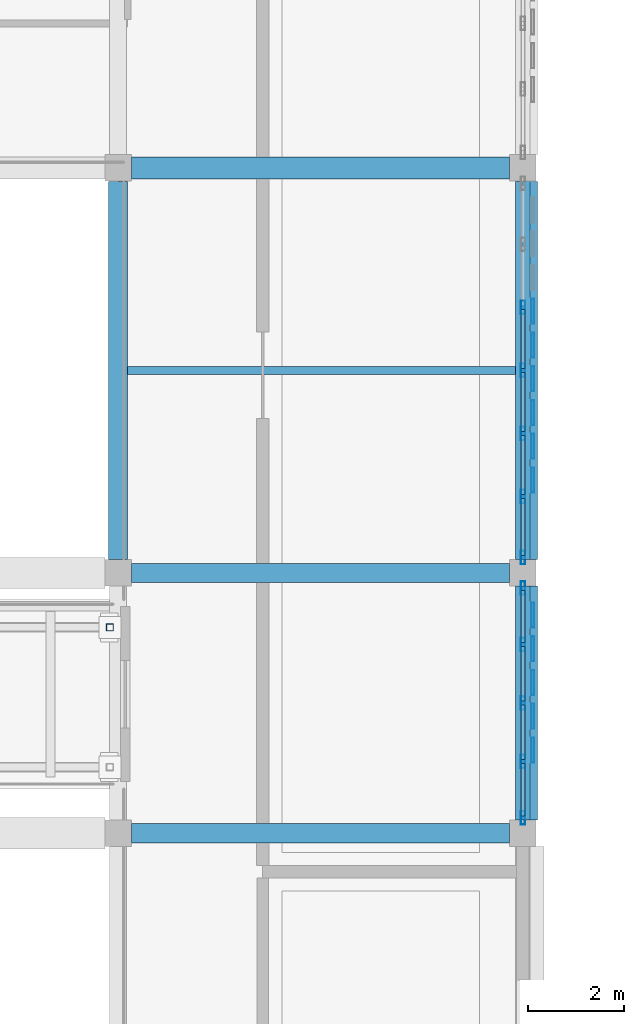
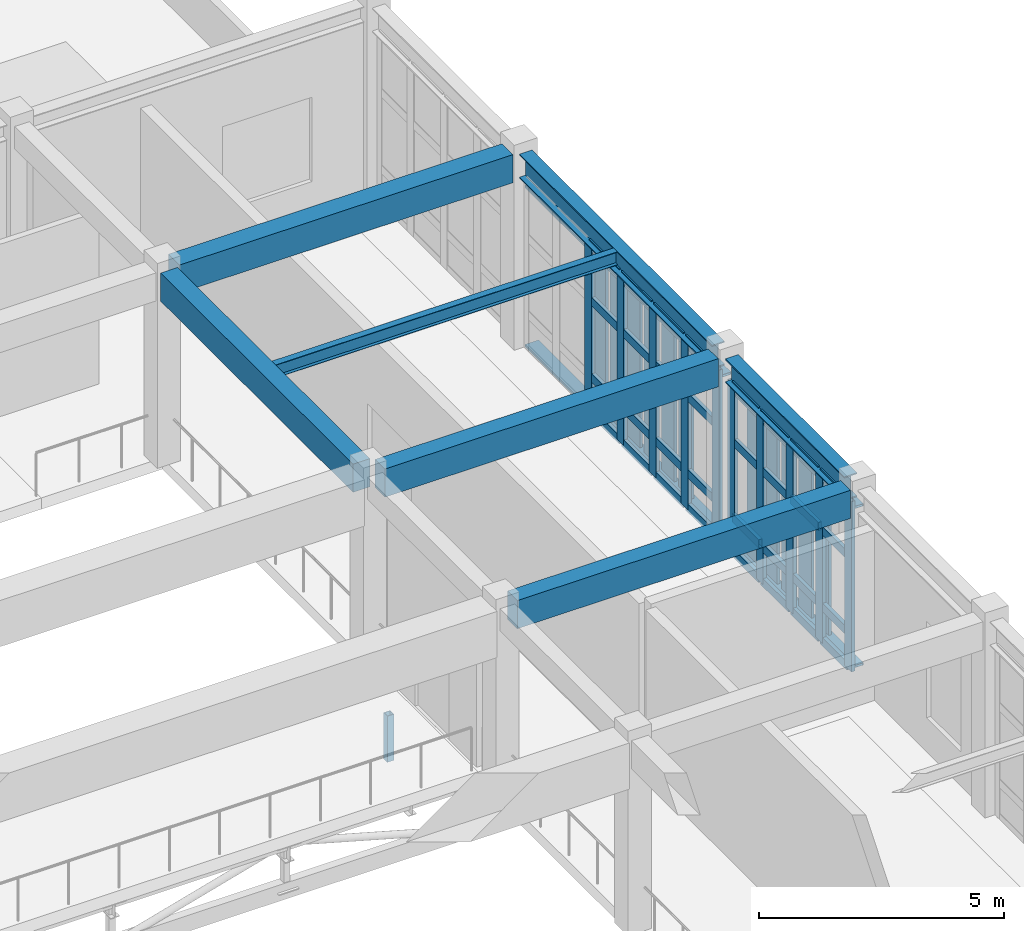
# One storey, part 29 of 77: 58 members, 7 beams, 2 elements without a shape of their own.
"""IFC4 building model written with IfcOpenShell, lengths in metres."""

from ifc_helpers import new_model, si_unit, direction, frame, origin, origin_2d, place, context, subcontext, project, spatial, rectangle, hollow_rectangle, i_section, extrude, material, layer, layer_set, material_profile, profile_set, type_object, element, aggregate, save


model = new_model("IFC4")

# Units and contexts
model_context = context("Model", 3, precision=1e-05, world=origin(), true_north=direction((0.0, 1.0)))
body_context = subcontext(model_context, "Body", "Model", "MODEL_VIEW")
ifc_project = project(units=[si_unit("LENGTHUNIT", "METRE"), si_unit("AREAUNIT", "SQUARE_METRE"), si_unit("VOLUMEUNIT", "CUBIC_METRE"), si_unit("PLANEANGLEUNIT", "RADIAN"), si_unit("MASSUNIT", "GRAM", prefix="KILO")], contexts=[model_context])

# Site, building, storey
site_placement = place(None, origin())
site = spatial("IfcSite", under=ifc_project, at=site_placement, CompositionType="ELEMENT")
building_placement = place(site_placement, origin())
building = spatial("IfcBuilding", under=site, at=building_placement, Name="Krzemoval Escarpment Law Courts", CompositionType="ELEMENT")
storey_placement = place(building_placement, frame((0.0, 0.0, 15.300048828125)))
storey = spatial("IfcBuildingStorey", under=building, at=storey_placement, Name="L03", CompositionType="ELEMENT", Elevation=15.300048828125)

# Beams
ifc_material_1 = material(Name="Concrete C40/50", Category="concrete")
ifc_material_profile_1 = material_profile(ifc_material_1, rectangle(XDim=0.39990234375, YDim=0.699951171875, at=origin_2d()), Name="RCB 400x700")
ifc_profile_set_1 = profile_set([ifc_material_profile_1], Name="Concrete C40/50")
beam_type_1 = type_object("IfcBeamType", Name="BM-RC-400x700", PredefinedType="BEAM", material=ifc_profile_set_1)
for number, where, z_axis, x_axis, name in (
    (1, (33.875, 79.800048828125, 4.489990234375), (1.0, 0.0, 0.0), (0.0, 1.0, 0.0), "Beam FG-L03-2170"),
    (2, (33.875, 85.199951171875, 4.489990234375), (1.0, 0.0, 0.0), (0.0, 1.0, 0.0), "Beam FG-L03-2175"),
):
    element("IfcBeam", number, at=place(storey_placement, frame(where, z_axis=z_axis, x_axis=x_axis)), inside=storey, type_object=beam_type_1, Name=name, PredefinedType="BEAM", context=body_context, shape_type="SweptSolid", body=[
        extrude(rectangle(XDim=0.39990234375, YDim=0.699951171875, at=origin_2d()), origin(), (0.0, 0.0, 1.0), 7.85009765625),
    ])
beam_1_placement = place(storey_placement, frame((33.60009765625, 85.47509765625, 4.489990234375), z_axis=(0.0, 1.0, 0.0), x_axis=(-1.0, 0.0, 0.0)))
element("IfcBeam", 3, at=beam_1_placement, inside=storey, type_object=beam_type_1, Name="Beam FG-L03-2257", PredefinedType="BEAM", context=body_context, shape_type="SweptSolid", body=[
    extrude(rectangle(XDim=0.39990234375, YDim=0.699951171875, at=origin_2d()), origin(), (0.0, 0.0, 1.0), 7.849853515625),
])
ifc_material_2 = material(Name="Concrete C40/50", Category="concrete")
ifc_material_profile_2 = material_profile(ifc_material_2, rectangle(XDim=0.449951171875, YDim=0.699951171875, at=origin_2d()), Name="RCB 450x700")
ifc_profile_set_2 = profile_set([ifc_material_profile_2], Name="Concrete C40/50")
beam_type_2 = type_object("IfcBeamType", Name="BM-RC-450x700", PredefinedType="BEAM", material=ifc_profile_set_2)
beam_2_placement = place(storey_placement, frame((33.875, 93.60009765625, 4.489990234375), z_axis=(1.0, 0.0, 0.0), x_axis=(0.0, 1.0, 0.0)))
element("IfcBeam", 4, at=beam_2_placement, inside=storey, type_object=beam_type_2, Name="Beam FG-L03-2181", PredefinedType="BEAM", context=body_context, shape_type="SweptSolid", body=[
    extrude(rectangle(XDim=0.449951171875, YDim=0.699951171875, at=origin_2d()), origin(), (0.0, 0.0, 1.0), 7.85009765625),
])

# Curtain wall, members
ifc_material_3 = material(Name="Aluminium 6063-T6", Category="aluminium")
ifc_layer = layer(ifc_material_3, 0.280029296875)
ifc_layer_set = layer_set([ifc_layer], Name="Aluminium 6063-T6")
curtain_wall_type = type_object("IfcCurtainWallType", Name="CW-HALL-5100", PredefinedType="USERDEFINED", material=ifc_layer_set)
curtain_wall_1_placement = place(storey_placement, origin())
curtain_wall_1 = element("IfcCurtainWall", 5, at=curtain_wall_1_placement, inside=storey, type_object=curtain_wall_type, Name="Unitised Curtain Wall FCW-L03-106", ObjectType="UNITISED_CURTAIN_WALL", PredefinedType="USERDEFINED")
ifc_material_4 = material(Name="Aluminium 6063-T6", Category="aluminium")
ifc_material_profile_3 = material_profile(ifc_material_4, hollow_rectangle(XDim=0.0849609375, YDim=0.280029296875, WallThickness=0.005615234375, at=origin_2d()), Name="ALU M85x280")
ifc_profile_set_3 = profile_set([ifc_material_profile_3], Name="Aluminium 6063-T6")
member_type_1 = type_object("IfcMemberType", Name="CWM-85x280", PredefinedType="MULLION", material=ifc_profile_set_3)
member_1_placement = place(storey_placement, frame((42.0, 90.708251953125, 0.0), z_axis=(0.0, 0.0, 1.0), x_axis=(1.0, 0.0, 0.0)))
member_1 = element("IfcMember", 6, at=member_1_placement, type_object=member_type_1, Name="FCW-L03-106 mullion 3", PredefinedType="MULLION", context=body_context, shape_type="SweptSolid", body=[
    extrude(hollow_rectangle(XDim=0.0849609375, YDim=0.280029296875, WallThickness=0.005615234375, at=origin_2d()), origin(), (0.0, 0.0, 1.0), 4.239990234375),
])
member_2_placement = place(storey_placement, frame((42.0, 89.39990234375, 0.0), z_axis=(0.0, 0.0, 1.0), x_axis=(1.0, 0.0, 0.0)))
member_2 = element("IfcMember", 7, at=member_2_placement, type_object=member_type_1, Name="FCW-L03-106 mullion 4", PredefinedType="MULLION", context=body_context, shape_type="SweptSolid", body=[
    extrude(hollow_rectangle(XDim=0.0849609375, YDim=0.280029296875, WallThickness=0.005615234375, at=origin_2d()), origin(), (0.0, 0.0, 1.0), 4.239990234375),
])
member_3_placement = place(storey_placement, frame((42.0, 88.091552734375, 0.0), z_axis=(0.0, 0.0, 1.0), x_axis=(1.0, 0.0, 0.0)))
member_3 = element("IfcMember", 8, at=member_3_placement, type_object=member_type_1, Name="FCW-L03-106 mullion 5", PredefinedType="MULLION", context=body_context, shape_type="SweptSolid", body=[
    extrude(hollow_rectangle(XDim=0.0849609375, YDim=0.280029296875, WallThickness=0.005615234375, at=origin_2d()), origin(), (0.0, 0.0, 1.0), 4.239990234375),
])
member_4_placement = place(storey_placement, frame((42.0, 86.783447265625, 0.0), z_axis=(0.0, 0.0, 1.0), x_axis=(1.0, 0.0, 0.0)))
member_4 = element("IfcMember", 9, at=member_4_placement, type_object=member_type_1, Name="FCW-L03-106 mullion 6", PredefinedType="MULLION", context=body_context, shape_type="SweptSolid", body=[
    extrude(hollow_rectangle(XDim=0.0849609375, YDim=0.280029296875, WallThickness=0.005615234375, at=origin_2d()), origin(), (0.0, 0.0, 1.0), 4.239990234375),
])
member_5_placement = place(storey_placement, frame((42.0, 85.517578125, 0.0), z_axis=(0.0, 0.0, 1.0), x_axis=(1.0, 0.0, 0.0)))
member_5 = element("IfcMember", 10, at=member_5_placement, type_object=member_type_1, Name="FCW-L03-106 mullion 7", PredefinedType="MULLION", context=body_context, shape_type="SweptSolid", body=[
    extrude(hollow_rectangle(XDim=0.0849609375, YDim=0.280029296875, WallThickness=0.005615234375, at=origin_2d()), origin(), (0.0, 0.0, 1.0), 4.239990234375),
])

curtain_wall_2_placement = place(storey_placement, origin())
curtain_wall_2 = element("IfcCurtainWall", 11, at=curtain_wall_2_placement, inside=storey, type_object=curtain_wall_type, Name="Unitised Curtain Wall FCW-L03-107", ObjectType="UNITISED_CURTAIN_WALL", PredefinedType="USERDEFINED")
member_6_placement = place(storey_placement, frame((42.0, 84.882568359375, 0.0), z_axis=(0.0, 0.0, 1.0), x_axis=(1.0, 0.0, 0.0)))
member_6 = element("IfcMember", 12, at=member_6_placement, type_object=member_type_1, Name="FCW-L03-107 mullion 1", PredefinedType="MULLION", context=body_context, shape_type="SweptSolid", body=[
    extrude(hollow_rectangle(XDim=0.0849609375, YDim=0.280029296875, WallThickness=0.005615234375, at=origin_2d()), origin(), (0.0, 0.0, 1.0), 4.239990234375),
])
member_7_placement = place(storey_placement, frame((42.0, 83.71240234375, 0.0), z_axis=(0.0, 0.0, 1.0), x_axis=(1.0, 0.0, 0.0)))
member_7 = element("IfcMember", 13, at=member_7_placement, type_object=member_type_1, Name="FCW-L03-107 mullion 2", PredefinedType="MULLION", context=body_context, shape_type="SweptSolid", body=[
    extrude(hollow_rectangle(XDim=0.0849609375, YDim=0.280029296875, WallThickness=0.005615234375, at=origin_2d()), origin(), (0.0, 0.0, 1.0), 4.239990234375),
])
member_8_placement = place(storey_placement, frame((42.0, 82.5, 0.0), z_axis=(0.0, 0.0, 1.0), x_axis=(1.0, 0.0, 0.0)))
member_8 = element("IfcMember", 14, at=member_8_placement, type_object=member_type_1, Name="FCW-L03-107 mullion 3", PredefinedType="MULLION", context=body_context, shape_type="SweptSolid", body=[
    extrude(hollow_rectangle(XDim=0.0849609375, YDim=0.280029296875, WallThickness=0.005615234375, at=origin_2d()), origin(), (0.0, 0.0, 1.0), 4.239990234375),
])
member_9_placement = place(storey_placement, frame((42.0, 81.28759765625, 0.0), z_axis=(0.0, 0.0, 1.0), x_axis=(1.0, 0.0, 0.0)))
member_9 = element("IfcMember", 15, at=member_9_placement, type_object=member_type_1, Name="FCW-L03-107 mullion 4", PredefinedType="MULLION", context=body_context, shape_type="SweptSolid", body=[
    extrude(hollow_rectangle(XDim=0.0849609375, YDim=0.280029296875, WallThickness=0.005615234375, at=origin_2d()), origin(), (0.0, 0.0, 1.0), 4.239990234375),
])
member_10_placement = place(storey_placement, frame((42.0, 80.117431640625, 0.0), z_axis=(0.0, 0.0, 1.0), x_axis=(1.0, 0.0, 0.0)))
member_10 = element("IfcMember", 16, at=member_10_placement, type_object=member_type_1, Name="FCW-L03-107 mullion 5", PredefinedType="MULLION", context=body_context, shape_type="SweptSolid", body=[
    extrude(hollow_rectangle(XDim=0.0849609375, YDim=0.280029296875, WallThickness=0.005615234375, at=origin_2d()), origin(), (0.0, 0.0, 1.0), 4.239990234375),
])

# Member
ifc_material_5 = material(Name="Aluminium 6063-T6", Category="aluminium")
ifc_material_profile_4 = material_profile(ifc_material_5, hollow_rectangle(XDim=0.0849609375, YDim=0.2099609375, WallThickness=0.005615234375, at=origin_2d()), Name="ALU T85x210")
ifc_profile_set_4 = profile_set([ifc_material_profile_4], Name="Aluminium 6063-T6")
member_type_2 = type_object("IfcMemberType", Name="CWT-85x210", PredefinedType="USERDEFINED", material=ifc_profile_set_4)
member_11_placement = place(storey_placement, frame((42.0, 90.665771484375, 0.04248046875), z_axis=(0.0, -1.0, 0.0), x_axis=(1.0, 0.0, 0.0)))
member_11 = element("IfcMember", 17, at=member_11_placement, type_object=member_type_2, Name="FCW-L03-106 transom 3.1", ObjectType="TRANSOM", PredefinedType="USERDEFINED", context=body_context, shape_type="SweptSolid", body=[
    extrude(hollow_rectangle(XDim=0.0849609375, YDim=0.2099609375, WallThickness=0.005615234375, at=origin_2d()), origin(), (0.0, 0.0, 1.0), 1.223388671875),
])

member_12_placement = place(storey_placement, frame((42.0, 90.665771484375, 0.89990234375), z_axis=(0.0, -1.0, 0.0), x_axis=(1.0, 0.0, 0.0)))
member_12 = element("IfcMember", 18, at=member_12_placement, type_object=member_type_2, Name="FCW-L03-106 transom 3.2", ObjectType="TRANSOM", PredefinedType="USERDEFINED", context=body_context, shape_type="SweptSolid", body=[
    extrude(hollow_rectangle(XDim=0.0849609375, YDim=0.2099609375, WallThickness=0.005615234375, at=origin_2d()), origin(), (0.0, 0.0, 1.0), 1.223388671875),
])

member_13_placement = place(storey_placement, frame((42.0, 90.665771484375, 2.800048828125), z_axis=(0.0, -1.0, 0.0), x_axis=(1.0, 0.0, 0.0)))
member_13 = element("IfcMember", 19, at=member_13_placement, type_object=member_type_2, Name="FCW-L03-106 transom 3.3", ObjectType="TRANSOM", PredefinedType="USERDEFINED", context=body_context, shape_type="SweptSolid", body=[
    extrude(hollow_rectangle(XDim=0.0849609375, YDim=0.2099609375, WallThickness=0.005615234375, at=origin_2d()), origin(), (0.0, 0.0, 1.0), 1.223388671875),
])

member_14_placement = place(storey_placement, frame((42.0, 90.665771484375, 4.197509765625), z_axis=(0.0, -1.0, 0.0), x_axis=(1.0, 0.0, 0.0)))
member_14 = element("IfcMember", 20, at=member_14_placement, type_object=member_type_2, Name="FCW-L03-106 transom 3.4", ObjectType="TRANSOM", PredefinedType="USERDEFINED", context=body_context, shape_type="SweptSolid", body=[
    extrude(hollow_rectangle(XDim=0.0849609375, YDim=0.2099609375, WallThickness=0.005615234375, at=origin_2d()), origin(), (0.0, 0.0, 1.0), 1.223388671875),
])

member_15_placement = place(storey_placement, frame((42.0, 89.357421875, 0.04248046875), z_axis=(0.0, -1.0, 0.0), x_axis=(1.0, 0.0, 0.0)))
member_15 = element("IfcMember", 21, at=member_15_placement, type_object=member_type_2, Name="FCW-L03-106 transom 4.1", ObjectType="TRANSOM", PredefinedType="USERDEFINED", context=body_context, shape_type="SweptSolid", body=[
    extrude(hollow_rectangle(XDim=0.0849609375, YDim=0.2099609375, WallThickness=0.005615234375, at=origin_2d()), origin(), (0.0, 0.0, 1.0), 1.22314453125),
])

member_16_placement = place(storey_placement, frame((42.0, 89.357421875, 0.89990234375), z_axis=(0.0, -1.0, 0.0), x_axis=(1.0, 0.0, 0.0)))
member_16 = element("IfcMember", 22, at=member_16_placement, type_object=member_type_2, Name="FCW-L03-106 transom 4.2", ObjectType="TRANSOM", PredefinedType="USERDEFINED", context=body_context, shape_type="SweptSolid", body=[
    extrude(hollow_rectangle(XDim=0.0849609375, YDim=0.2099609375, WallThickness=0.005615234375, at=origin_2d()), origin(), (0.0, 0.0, 1.0), 1.22314453125),
])

member_17_placement = place(storey_placement, frame((42.0, 89.357421875, 2.800048828125), z_axis=(0.0, -1.0, 0.0), x_axis=(1.0, 0.0, 0.0)))
member_17 = element("IfcMember", 23, at=member_17_placement, type_object=member_type_2, Name="FCW-L03-106 transom 4.3", ObjectType="TRANSOM", PredefinedType="USERDEFINED", context=body_context, shape_type="SweptSolid", body=[
    extrude(hollow_rectangle(XDim=0.0849609375, YDim=0.2099609375, WallThickness=0.005615234375, at=origin_2d()), origin(), (0.0, 0.0, 1.0), 1.22314453125),
])

member_18_placement = place(storey_placement, frame((42.0, 89.357421875, 4.197509765625), z_axis=(0.0, -1.0, 0.0), x_axis=(1.0, 0.0, 0.0)))
member_18 = element("IfcMember", 24, at=member_18_placement, type_object=member_type_2, Name="FCW-L03-106 transom 4.4", ObjectType="TRANSOM", PredefinedType="USERDEFINED", context=body_context, shape_type="SweptSolid", body=[
    extrude(hollow_rectangle(XDim=0.0849609375, YDim=0.2099609375, WallThickness=0.005615234375, at=origin_2d()), origin(), (0.0, 0.0, 1.0), 1.22314453125),
])

member_19_placement = place(storey_placement, frame((42.0, 88.049072265625, 0.04248046875), z_axis=(0.0, -1.0, 0.0), x_axis=(1.0, 0.0, 0.0)))
member_19 = element("IfcMember", 25, at=member_19_placement, type_object=member_type_2, Name="FCW-L03-106 transom 5.1", ObjectType="TRANSOM", PredefinedType="USERDEFINED", context=body_context, shape_type="SweptSolid", body=[
    extrude(hollow_rectangle(XDim=0.0849609375, YDim=0.2099609375, WallThickness=0.005615234375, at=origin_2d()), origin(), (0.0, 0.0, 1.0), 1.22314453125),
])

member_20_placement = place(storey_placement, frame((42.0, 88.049072265625, 0.89990234375), z_axis=(0.0, -1.0, 0.0), x_axis=(1.0, 0.0, 0.0)))
member_20 = element("IfcMember", 26, at=member_20_placement, type_object=member_type_2, Name="FCW-L03-106 transom 5.2", ObjectType="TRANSOM", PredefinedType="USERDEFINED", context=body_context, shape_type="SweptSolid", body=[
    extrude(hollow_rectangle(XDim=0.0849609375, YDim=0.2099609375, WallThickness=0.005615234375, at=origin_2d()), origin(), (0.0, 0.0, 1.0), 1.22314453125),
])

member_21_placement = place(storey_placement, frame((42.0, 88.049072265625, 2.800048828125), z_axis=(0.0, -1.0, 0.0), x_axis=(1.0, 0.0, 0.0)))
member_21 = element("IfcMember", 27, at=member_21_placement, type_object=member_type_2, Name="FCW-L03-106 transom 5.3", ObjectType="TRANSOM", PredefinedType="USERDEFINED", context=body_context, shape_type="SweptSolid", body=[
    extrude(hollow_rectangle(XDim=0.0849609375, YDim=0.2099609375, WallThickness=0.005615234375, at=origin_2d()), origin(), (0.0, 0.0, 1.0), 1.22314453125),
])

member_22_placement = place(storey_placement, frame((42.0, 88.049072265625, 4.197509765625), z_axis=(0.0, -1.0, 0.0), x_axis=(1.0, 0.0, 0.0)))
member_22 = element("IfcMember", 28, at=member_22_placement, type_object=member_type_2, Name="FCW-L03-106 transom 5.4", ObjectType="TRANSOM", PredefinedType="USERDEFINED", context=body_context, shape_type="SweptSolid", body=[
    extrude(hollow_rectangle(XDim=0.0849609375, YDim=0.2099609375, WallThickness=0.005615234375, at=origin_2d()), origin(), (0.0, 0.0, 1.0), 1.22314453125),
])

member_23_placement = place(storey_placement, frame((42.0, 86.74072265625, 0.04248046875), z_axis=(0.0, -1.0, 0.0), x_axis=(1.0, 0.0, 0.0)))
member_23 = element("IfcMember", 29, at=member_23_placement, type_object=member_type_2, Name="FCW-L03-106 transom 6.1", ObjectType="TRANSOM", PredefinedType="USERDEFINED", context=body_context, shape_type="SweptSolid", body=[
    extrude(hollow_rectangle(XDim=0.0849609375, YDim=0.2099609375, WallThickness=0.005615234375, at=origin_2d()), origin(), (0.0, 0.0, 1.0), 1.1806640625),
])

member_24_placement = place(storey_placement, frame((42.0, 86.74072265625, 0.89990234375), z_axis=(0.0, -1.0, 0.0), x_axis=(1.0, 0.0, 0.0)))
member_24 = element("IfcMember", 30, at=member_24_placement, type_object=member_type_2, Name="FCW-L03-106 transom 6.2", ObjectType="TRANSOM", PredefinedType="USERDEFINED", context=body_context, shape_type="SweptSolid", body=[
    extrude(hollow_rectangle(XDim=0.0849609375, YDim=0.2099609375, WallThickness=0.005615234375, at=origin_2d()), origin(), (0.0, 0.0, 1.0), 1.1806640625),
])

member_25_placement = place(storey_placement, frame((42.0, 86.74072265625, 2.800048828125), z_axis=(0.0, -1.0, 0.0), x_axis=(1.0, 0.0, 0.0)))
member_25 = element("IfcMember", 31, at=member_25_placement, type_object=member_type_2, Name="FCW-L03-106 transom 6.3", ObjectType="TRANSOM", PredefinedType="USERDEFINED", context=body_context, shape_type="SweptSolid", body=[
    extrude(hollow_rectangle(XDim=0.0849609375, YDim=0.2099609375, WallThickness=0.005615234375, at=origin_2d()), origin(), (0.0, 0.0, 1.0), 1.1806640625),
])

member_26_placement = place(storey_placement, frame((42.0, 86.74072265625, 4.197509765625), z_axis=(0.0, -1.0, 0.0), x_axis=(1.0, 0.0, 0.0)))
member_26 = element("IfcMember", 32, at=member_26_placement, type_object=member_type_2, Name="FCW-L03-106 transom 6.4", ObjectType="TRANSOM", PredefinedType="USERDEFINED", context=body_context, shape_type="SweptSolid", body=[
    extrude(hollow_rectangle(XDim=0.0849609375, YDim=0.2099609375, WallThickness=0.005615234375, at=origin_2d()), origin(), (0.0, 0.0, 1.0), 1.1806640625),
])

aggregate(curtain_wall_1, [member_1, member_2, member_3, member_4, member_5, member_11, member_12, member_13, member_14, member_15, member_16, member_17, member_18, member_19, member_20, member_21, member_22, member_23, member_24, member_25, member_26])

member_27_placement = place(storey_placement, frame((42.0, 84.840087890625, 0.04248046875), z_axis=(0.0, -1.0, 0.0), x_axis=(1.0, 0.0, 0.0)))
member_27 = element("IfcMember", 33, at=member_27_placement, type_object=member_type_2, Name="FCW-L03-107 transom 1.1", ObjectType="TRANSOM", PredefinedType="USERDEFINED", context=body_context, shape_type="SweptSolid", body=[
    extrude(hollow_rectangle(XDim=0.0849609375, YDim=0.2099609375, WallThickness=0.005615234375, at=origin_2d()), origin(), (0.0, 0.0, 1.0), 1.085205078125),
])

member_28_placement = place(storey_placement, frame((42.0, 84.840087890625, 0.89990234375), z_axis=(0.0, -1.0, 0.0), x_axis=(1.0, 0.0, 0.0)))
member_28 = element("IfcMember", 34, at=member_28_placement, type_object=member_type_2, Name="FCW-L03-107 transom 1.2", ObjectType="TRANSOM", PredefinedType="USERDEFINED", context=body_context, shape_type="SweptSolid", body=[
    extrude(hollow_rectangle(XDim=0.0849609375, YDim=0.2099609375, WallThickness=0.005615234375, at=origin_2d()), origin(), (0.0, 0.0, 1.0), 1.085205078125),
])

member_29_placement = place(storey_placement, frame((42.0, 84.840087890625, 2.800048828125), z_axis=(0.0, -1.0, 0.0), x_axis=(1.0, 0.0, 0.0)))
member_29 = element("IfcMember", 35, at=member_29_placement, type_object=member_type_2, Name="FCW-L03-107 transom 1.3", ObjectType="TRANSOM", PredefinedType="USERDEFINED", context=body_context, shape_type="SweptSolid", body=[
    extrude(hollow_rectangle(XDim=0.0849609375, YDim=0.2099609375, WallThickness=0.005615234375, at=origin_2d()), origin(), (0.0, 0.0, 1.0), 1.085205078125),
])

member_30_placement = place(storey_placement, frame((42.0, 84.840087890625, 4.197509765625), z_axis=(0.0, -1.0, 0.0), x_axis=(1.0, 0.0, 0.0)))
member_30 = element("IfcMember", 36, at=member_30_placement, type_object=member_type_2, Name="FCW-L03-107 transom 1.4", ObjectType="TRANSOM", PredefinedType="USERDEFINED", context=body_context, shape_type="SweptSolid", body=[
    extrude(hollow_rectangle(XDim=0.0849609375, YDim=0.2099609375, WallThickness=0.005615234375, at=origin_2d()), origin(), (0.0, 0.0, 1.0), 1.085205078125),
])

member_31_placement = place(storey_placement, frame((42.0, 83.669921875, 0.04248046875), z_axis=(0.0, -1.0, 0.0), x_axis=(1.0, 0.0, 0.0)))
member_31 = element("IfcMember", 37, at=member_31_placement, type_object=member_type_2, Name="FCW-L03-107 transom 2.1", ObjectType="TRANSOM", PredefinedType="USERDEFINED", context=body_context, shape_type="SweptSolid", body=[
    extrude(hollow_rectangle(XDim=0.0849609375, YDim=0.2099609375, WallThickness=0.005615234375, at=origin_2d()), origin(), (0.0, 0.0, 1.0), 1.12744140625),
])

member_32_placement = place(storey_placement, frame((42.0, 83.669921875, 0.89990234375), z_axis=(0.0, -1.0, 0.0), x_axis=(1.0, 0.0, 0.0)))
member_32 = element("IfcMember", 38, at=member_32_placement, type_object=member_type_2, Name="FCW-L03-107 transom 2.2", ObjectType="TRANSOM", PredefinedType="USERDEFINED", context=body_context, shape_type="SweptSolid", body=[
    extrude(hollow_rectangle(XDim=0.0849609375, YDim=0.2099609375, WallThickness=0.005615234375, at=origin_2d()), origin(), (0.0, 0.0, 1.0), 1.12744140625),
])

member_33_placement = place(storey_placement, frame((42.0, 83.669921875, 2.800048828125), z_axis=(0.0, -1.0, 0.0), x_axis=(1.0, 0.0, 0.0)))
member_33 = element("IfcMember", 39, at=member_33_placement, type_object=member_type_2, Name="FCW-L03-107 transom 2.3", ObjectType="TRANSOM", PredefinedType="USERDEFINED", context=body_context, shape_type="SweptSolid", body=[
    extrude(hollow_rectangle(XDim=0.0849609375, YDim=0.2099609375, WallThickness=0.005615234375, at=origin_2d()), origin(), (0.0, 0.0, 1.0), 1.12744140625),
])

member_34_placement = place(storey_placement, frame((42.0, 83.669921875, 4.197509765625), z_axis=(0.0, -1.0, 0.0), x_axis=(1.0, 0.0, 0.0)))
member_34 = element("IfcMember", 40, at=member_34_placement, type_object=member_type_2, Name="FCW-L03-107 transom 2.4", ObjectType="TRANSOM", PredefinedType="USERDEFINED", context=body_context, shape_type="SweptSolid", body=[
    extrude(hollow_rectangle(XDim=0.0849609375, YDim=0.2099609375, WallThickness=0.005615234375, at=origin_2d()), origin(), (0.0, 0.0, 1.0), 1.12744140625),
])

member_35_placement = place(storey_placement, frame((42.0, 82.45751953125, 0.04248046875), z_axis=(0.0, -1.0, 0.0), x_axis=(1.0, 0.0, 0.0)))
member_35 = element("IfcMember", 41, at=member_35_placement, type_object=member_type_2, Name="FCW-L03-107 transom 3.1", ObjectType="TRANSOM", PredefinedType="USERDEFINED", context=body_context, shape_type="SweptSolid", body=[
    extrude(hollow_rectangle(XDim=0.0849609375, YDim=0.2099609375, WallThickness=0.005615234375, at=origin_2d()), origin(), (0.0, 0.0, 1.0), 1.12744140625),
])

member_36_placement = place(storey_placement, frame((42.0, 82.45751953125, 0.89990234375), z_axis=(0.0, -1.0, 0.0), x_axis=(1.0, 0.0, 0.0)))
member_36 = element("IfcMember", 42, at=member_36_placement, type_object=member_type_2, Name="FCW-L03-107 transom 3.2", ObjectType="TRANSOM", PredefinedType="USERDEFINED", context=body_context, shape_type="SweptSolid", body=[
    extrude(hollow_rectangle(XDim=0.0849609375, YDim=0.2099609375, WallThickness=0.005615234375, at=origin_2d()), origin(), (0.0, 0.0, 1.0), 1.12744140625),
])

member_37_placement = place(storey_placement, frame((42.0, 82.45751953125, 2.800048828125), z_axis=(0.0, -1.0, 0.0), x_axis=(1.0, 0.0, 0.0)))
member_37 = element("IfcMember", 43, at=member_37_placement, type_object=member_type_2, Name="FCW-L03-107 transom 3.3", ObjectType="TRANSOM", PredefinedType="USERDEFINED", context=body_context, shape_type="SweptSolid", body=[
    extrude(hollow_rectangle(XDim=0.0849609375, YDim=0.2099609375, WallThickness=0.005615234375, at=origin_2d()), origin(), (0.0, 0.0, 1.0), 1.12744140625),
])

member_38_placement = place(storey_placement, frame((42.0, 82.45751953125, 4.197509765625), z_axis=(0.0, -1.0, 0.0), x_axis=(1.0, 0.0, 0.0)))
member_38 = element("IfcMember", 44, at=member_38_placement, type_object=member_type_2, Name="FCW-L03-107 transom 3.4", ObjectType="TRANSOM", PredefinedType="USERDEFINED", context=body_context, shape_type="SweptSolid", body=[
    extrude(hollow_rectangle(XDim=0.0849609375, YDim=0.2099609375, WallThickness=0.005615234375, at=origin_2d()), origin(), (0.0, 0.0, 1.0), 1.12744140625),
])

member_39_placement = place(storey_placement, frame((42.0, 81.2451171875, 0.04248046875), z_axis=(0.0, -1.0, 0.0), x_axis=(1.0, 0.0, 0.0)))
member_39 = element("IfcMember", 45, at=member_39_placement, type_object=member_type_2, Name="FCW-L03-107 transom 4.1", ObjectType="TRANSOM", PredefinedType="USERDEFINED", context=body_context, shape_type="SweptSolid", body=[
    extrude(hollow_rectangle(XDim=0.0849609375, YDim=0.2099609375, WallThickness=0.005615234375, at=origin_2d()), origin(), (0.0, 0.0, 1.0), 1.085205078125),
])

member_40_placement = place(storey_placement, frame((42.0, 81.2451171875, 0.89990234375), z_axis=(0.0, -1.0, 0.0), x_axis=(1.0, 0.0, 0.0)))
member_40 = element("IfcMember", 46, at=member_40_placement, type_object=member_type_2, Name="FCW-L03-107 transom 4.2", ObjectType="TRANSOM", PredefinedType="USERDEFINED", context=body_context, shape_type="SweptSolid", body=[
    extrude(hollow_rectangle(XDim=0.0849609375, YDim=0.2099609375, WallThickness=0.005615234375, at=origin_2d()), origin(), (0.0, 0.0, 1.0), 1.085205078125),
])

member_41_placement = place(storey_placement, frame((42.0, 81.2451171875, 2.800048828125), z_axis=(0.0, -1.0, 0.0), x_axis=(1.0, 0.0, 0.0)))
member_41 = element("IfcMember", 47, at=member_41_placement, type_object=member_type_2, Name="FCW-L03-107 transom 4.3", ObjectType="TRANSOM", PredefinedType="USERDEFINED", context=body_context, shape_type="SweptSolid", body=[
    extrude(hollow_rectangle(XDim=0.0849609375, YDim=0.2099609375, WallThickness=0.005615234375, at=origin_2d()), origin(), (0.0, 0.0, 1.0), 1.085205078125),
])

member_42_placement = place(storey_placement, frame((42.0, 81.2451171875, 4.197509765625), z_axis=(0.0, -1.0, 0.0), x_axis=(1.0, 0.0, 0.0)))
member_42 = element("IfcMember", 48, at=member_42_placement, type_object=member_type_2, Name="FCW-L03-107 transom 4.4", ObjectType="TRANSOM", PredefinedType="USERDEFINED", context=body_context, shape_type="SweptSolid", body=[
    extrude(hollow_rectangle(XDim=0.0849609375, YDim=0.2099609375, WallThickness=0.005615234375, at=origin_2d()), origin(), (0.0, 0.0, 1.0), 1.085205078125),
])

aggregate(curtain_wall_2, [member_6, member_7, member_8, member_9, member_10, member_27, member_28, member_29, member_30, member_31, member_32, member_33, member_34, member_35, member_36, member_37, member_38, member_39, member_40, member_41, member_42])

# Beam
ifc_material_6 = material(Name="Steel S355", Category="steel")
ifc_material_profile_5 = material_profile(ifc_material_6, i_section(OverallWidth=0.159912109375, OverallDepth=0.330078125, WebThickness=0.007568359375, FlangeThickness=0.011474609375, at=origin_2d()), Name="IPE 330")
ifc_profile_set_5 = profile_set([ifc_material_profile_5], Name="Steel S355")
beam_type_3 = type_object("IfcBeamType", Name="JST-S355-IPE330", PredefinedType="JOIST", material=ifc_profile_set_5)
beam_3_placement = place(storey_placement, frame((33.800048828125, 89.39990234375, 4.675048828125), z_axis=(1.0, 0.0, 0.0), x_axis=(0.0, 1.0, 0.0)))
element("IfcBeam", 49, at=beam_3_placement, inside=storey, type_object=beam_type_3, Name="Secondary Joist FJ-L03-2377", PredefinedType="JOIST", context=body_context, shape_type="SweptSolid", body=[
    extrude(i_section(OverallWidth=0.159912109375, OverallDepth=0.330078125, WebThickness=0.007568359375, FlangeThickness=0.011474609375, at=origin_2d()), origin(), (0.0, 0.0, 1.0), 8.050048828125),
])

# Members
ifc_material_7 = material(Name="Anodised Aluminium Alloy 6063-T6", Category="aluminium")
ifc_material_profile_6 = material_profile(ifc_material_7, hollow_rectangle(XDim=0.06005859375, YDim=0.320068359375, WallThickness=0.00390625, at=origin_2d()), Name="ALU LVR 60x320")
ifc_profile_set_6 = profile_set([ifc_material_profile_6], Name="Anodised Aluminium Alloy 6063-T6")
member_type_3 = type_object("IfcMemberType", Name="LVR-ALU-320", PredefinedType="USERDEFINED", material=ifc_profile_set_6)
for number, where, z_axis, x_axis, name in (
    (50, (42.139892578125, 93.324951171875, 0.030029296875), (0.0, -1.0, 0.0), (0.0, 0.0, 1.0), "Sunshade Support Rail FSR-L03-0698"),
    (51, (42.139892578125, 93.324951171875, 3.989990234375), (0.0, -1.0, 0.0), (0.0, 0.0, 1.0), "Sunshade Support Rail FSR-L03-0699"),
):
    element("IfcMember", number, at=place(storey_placement, frame(where, z_axis=z_axis, x_axis=x_axis)), inside=storey, type_object=member_type_3, Name=name, ObjectType="SUNSHADE_LOUVRE", PredefinedType="USERDEFINED", context=body_context, shape_type="SweptSolid", body=[
        extrude(hollow_rectangle(XDim=0.06005859375, YDim=0.320068359375, WallThickness=0.00390625, at=origin_2d()), origin(), (0.0, 0.0, 1.0), 7.849853515625),
    ])
for number, where, z_axis, x_axis, name in (
    (52, (42.139892578125, 84.925048828125, 0.030029296875), (0.0, -1.0, 0.0), (0.0, 0.0, 1.0), "Sunshade Support Rail FSR-L03-0709"),
    (53, (42.139892578125, 84.925048828125, 3.989990234375), (0.0, -1.0, 0.0), (0.0, 0.0, 1.0), "Sunshade Support Rail FSR-L03-0710"),
):
    element("IfcMember", number, at=place(storey_placement, frame(where, z_axis=z_axis, x_axis=x_axis)), inside=storey, type_object=member_type_3, Name=name, ObjectType="SUNSHADE_LOUVRE", PredefinedType="USERDEFINED", context=body_context, shape_type="SweptSolid", body=[
        extrude(hollow_rectangle(XDim=0.06005859375, YDim=0.320068359375, WallThickness=0.00390625, at=origin_2d()), origin(), (0.0, 0.0, 1.0), 4.85009765625),
    ])
ifc_material_8 = material(Name="Anodised Aluminium Alloy 6063-T6", Category="aluminium")
ifc_material_profile_7 = material_profile(ifc_material_8, hollow_rectangle(XDim=0.06494140625, YDim=0.52001953125, WallThickness=0.00439453125, at=origin_2d()), Name="ALU LVR 65x520")
ifc_profile_set_7 = profile_set([ifc_material_profile_7], Name="Anodised Aluminium Alloy 6063-T6")
member_type_4 = type_object("IfcMemberType", Name="LVR-ALU-520", PredefinedType="USERDEFINED", material=ifc_profile_set_7)
for number, where, z_axis, x_axis, name in (
    (54, (42.199951171875, 90.625, 0.06005859375), (0.0, 0.0, 1.0), (1.0, 0.0, 0.0), "Sunshade Louvre Fin FLV-L03-0703"),
    (55, (42.199951171875, 89.925048828125, 0.06005859375), (0.0, 0.0, 1.0), (1.0, 0.0, 0.0), "Sunshade Louvre Fin FLV-L03-0704"),
    (56, (42.199951171875, 89.22509765625, 0.06005859375), (0.0, 0.0, 1.0), (1.0, 0.0, 0.0), "Sunshade Louvre Fin FLV-L03-0705"),
    (57, (42.199951171875, 88.52490234375, 0.06005859375), (0.0, 0.0, 1.0), (1.0, 0.0, 0.0), "Sunshade Louvre Fin FLV-L03-0706"),
    (58, (42.199951171875, 87.824951171875, 0.06005859375), (0.0, 0.0, 1.0), (1.0, 0.0, 0.0), "Sunshade Louvre Fin FLV-L03-0707"),
    (59, (42.199951171875, 87.125, 0.06005859375), (0.0, 0.0, 1.0), (1.0, 0.0, 0.0), "Sunshade Louvre Fin FLV-L03-0708"),
    (60, (42.199951171875, 84.324951171875, 0.06005859375), (0.0, 0.0, 1.0), (1.0, 0.0, 0.0), "Sunshade Louvre Fin FLV-L03-0711"),
    (61, (42.199951171875, 83.625, 0.06005859375), (0.0, 0.0, 1.0), (1.0, 0.0, 0.0), "Sunshade Louvre Fin FLV-L03-0712"),
    (62, (42.199951171875, 82.925048828125, 0.06005859375), (0.0, 0.0, 1.0), (1.0, 0.0, 0.0), "Sunshade Louvre Fin FLV-L03-0713"),
    (63, (42.199951171875, 82.22509765625, 0.06005859375), (0.0, 0.0, 1.0), (1.0, 0.0, 0.0), "Sunshade Louvre Fin FLV-L03-0714"),
    (64, (42.199951171875, 81.52490234375, 0.06005859375), (0.0, 0.0, 1.0), (1.0, 0.0, 0.0), "Sunshade Louvre Fin FLV-L03-0715"),
):
    element("IfcMember", number, at=place(storey_placement, frame(where, z_axis=z_axis, x_axis=x_axis)), inside=storey, type_object=member_type_4, Name=name, ObjectType="SUNSHADE_LOUVRE", PredefinedType="USERDEFINED", context=body_context, shape_type="SweptSolid", body=[
        extrude(hollow_rectangle(XDim=0.06494140625, YDim=0.52001953125, WallThickness=0.00439453125, at=origin_2d()), origin(), (0.0, 0.0, 1.0), 4.179931640625),
    ])
ifc_material_9 = material(Name="Steel S355", Category="steel")
ifc_material_profile_8 = material_profile(ifc_material_9, hollow_rectangle(XDim=0.14990234375, YDim=0.14990234375, WallThickness=0.008056640625, at=origin_2d()), Name="SHS 150x150x8")
ifc_profile_set_8 = profile_set([ifc_material_profile_8], Name="Steel S355")
member_type_5 = type_object("IfcMemberType", Name="MBR-STR-SHS150", PredefinedType="STRUT", material=ifc_profile_set_8)
member_43_placement = place(storey_placement, frame((33.429931640625, 84.070068359375, -1.670166015625), z_axis=(0.0, 0.0, 1.0), x_axis=(1.0, 0.0, 0.0)))
element("IfcMember", 65, at=member_43_placement, inside=storey, type_object=member_type_5, Name="Bridge Truss Strut BST-0226", PredefinedType="STRUT", context=body_context, shape_type="SweptSolid", body=[
    extrude(hollow_rectangle(XDim=0.14990234375, YDim=0.14990234375, WallThickness=0.008056640625, at=origin_2d()), origin(), (0.0, 0.0, 1.0), 1.150146484375),
])

# Beams
ifc_material_10 = material(Name="Steel S355", Category="steel")
ifc_material_profile_9 = material_profile(ifc_material_10, i_section(OverallWidth=0.300048828125, OverallDepth=0.60009765625, WebThickness=0.015380859375, FlangeThickness=0.030029296875, at=origin_2d()), Name="HEB 600")
ifc_profile_set_9 = profile_set([ifc_material_profile_9], Name="Steel S355")
beam_type_4 = type_object("IfcBeamType", Name="SPN-S355-HEB600", PredefinedType="SPANDREL", material=ifc_profile_set_9)
beam_4_placement = place(storey_placement, frame((42.0, 80.074951171875, 4.5400390625), z_axis=(0.0, 1.0, 0.0), x_axis=(-1.0, 0.0, 0.0)))
element("IfcBeam", 66, at=beam_4_placement, inside=storey, type_object=beam_type_4, Name="Beam FG-L03-2269", PredefinedType="SPANDREL", context=body_context, shape_type="SweptSolid", body=[
    extrude(i_section(OverallWidth=0.300048828125, OverallDepth=0.60009765625, WebThickness=0.015380859375, FlangeThickness=0.030029296875, at=origin_2d()), origin(), (0.0, 0.0, 1.0), 4.85009765625),
])
beam_5_placement = place(storey_placement, frame((42.0, 85.47509765625, 4.5400390625), z_axis=(0.0, 1.0, 0.0), x_axis=(-1.0, 0.0, 0.0)))
element("IfcBeam", 67, at=beam_5_placement, inside=storey, type_object=beam_type_4, Name="Beam FG-L03-2270", PredefinedType="SPANDREL", context=body_context, shape_type="SweptSolid", body=[
    extrude(i_section(OverallWidth=0.300048828125, OverallDepth=0.60009765625, WebThickness=0.015380859375, FlangeThickness=0.030029296875, at=origin_2d()), origin(), (0.0, 0.0, 1.0), 7.849853515625),
])

save(model, "model.ifc")
